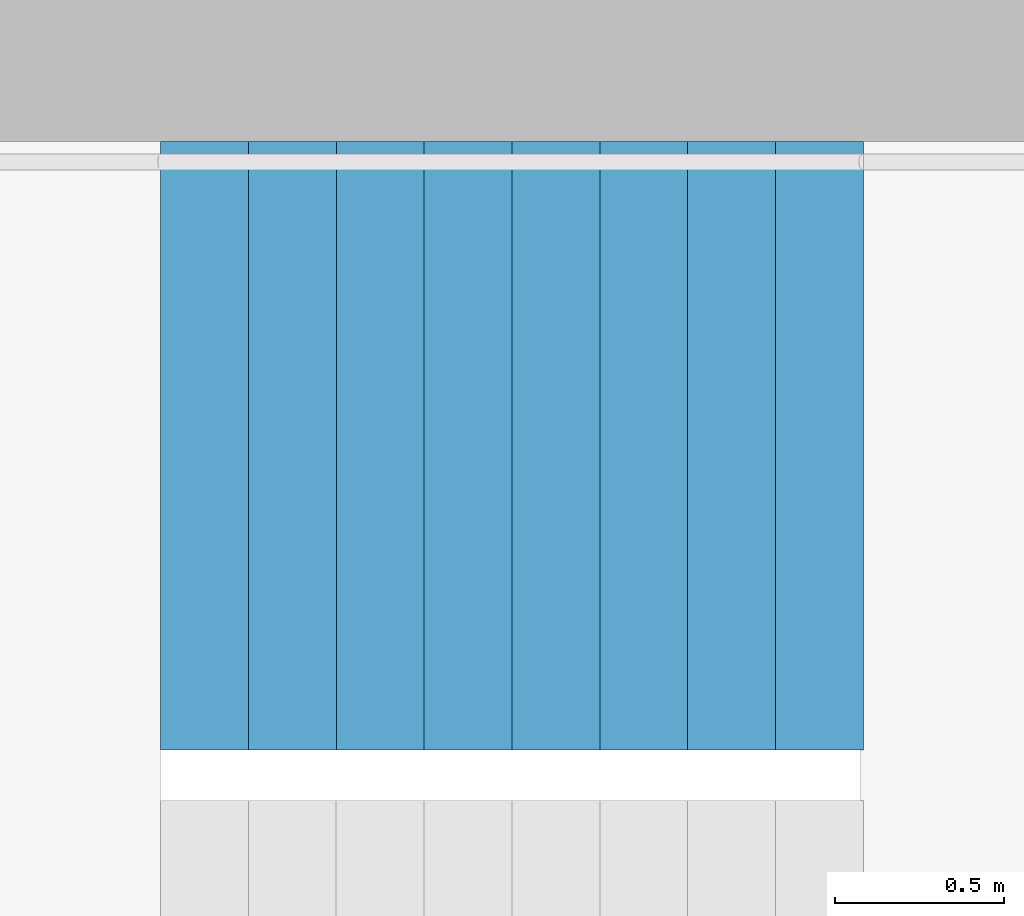
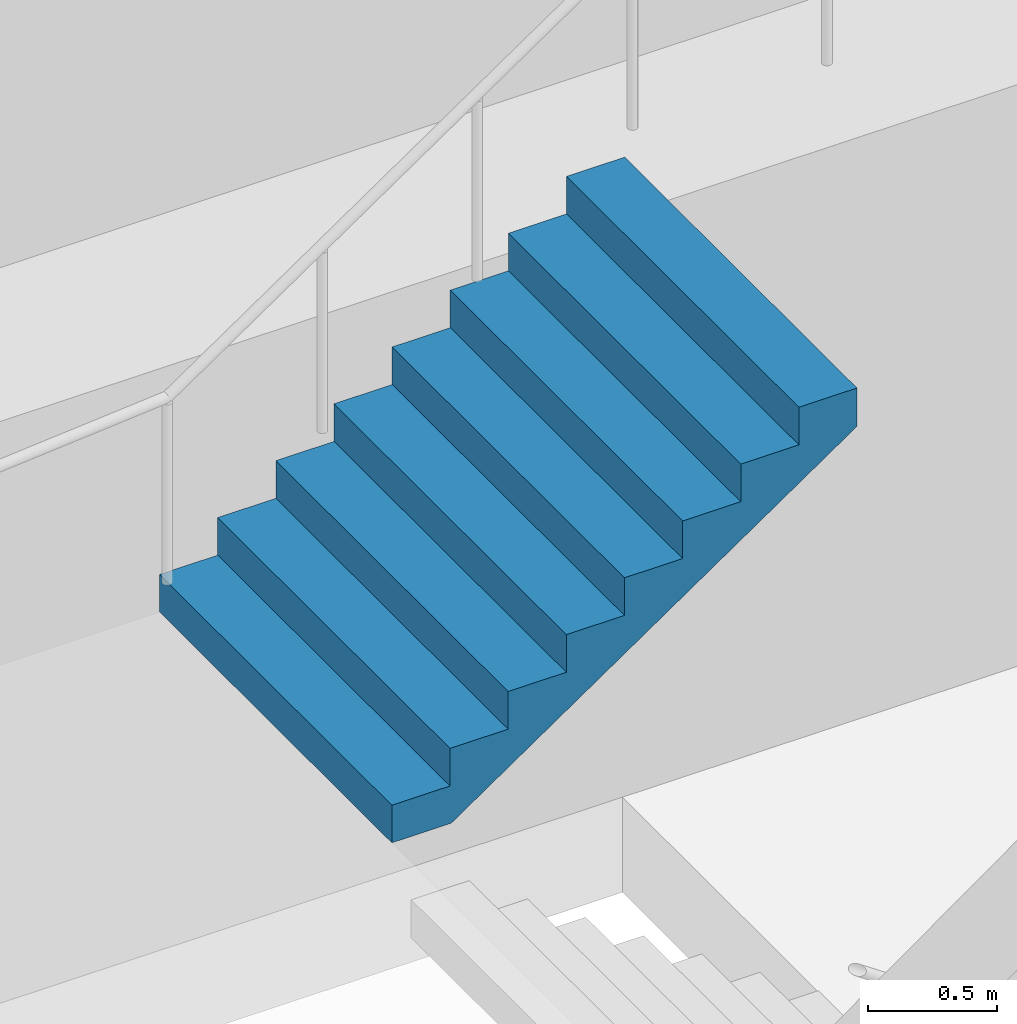
# One storey, part 25 of 26: 1 stair flight, 1 element without a shape of its own.
"""IFC4 building model written with IfcOpenShell, lengths in metres."""

from ifc_helpers import new_model, si_unit, direction, frame, origin, place, context, subcontext, project, spatial, triangles, material, type_object, element, aggregate, save


model = new_model("IFC4")

# Units and contexts
model_context = context("Model", 3, precision=1e-05, world=origin(), true_north=direction((0.0, 1.0)))
body_context = subcontext(model_context, "Body", "Model", "MODEL_VIEW")
ifc_project = project(units=[si_unit("LENGTHUNIT", "METRE"), si_unit("AREAUNIT", "SQUARE_METRE"), si_unit("VOLUMEUNIT", "CUBIC_METRE"), si_unit("PLANEANGLEUNIT", "RADIAN"), si_unit("MASSUNIT", "GRAM", prefix="KILO")], contexts=[model_context])

# Site, building, storey
site_placement = place(None, origin())
site = spatial("IfcSite", under=ifc_project, at=site_placement, CompositionType="ELEMENT")
building_placement = place(site_placement, origin())
building = spatial("IfcBuilding", under=site, at=building_placement, Name="Hakoniwa Tower and Hamabe Station Hall", CompositionType="ELEMENT")
storey_placement = place(building_placement, frame((0.0, 0.0, 169.39990234375)))
storey = spatial("IfcBuildingStorey", under=building, at=storey_placement, Name="L48", CompositionType="ELEMENT", Elevation=169.39990234375)

# Stair, stair flight
ifc_material_1 = material(Name="Concrete C40", Category="concrete")
stair_type = type_object("IfcStairType", Name="ESCAPE STAIR 1800", PredefinedType="HALF_TURN_STAIR", material=ifc_material_1)
stair_placement = place(storey_placement, origin())
stair = element("IfcStair", 1, at=stair_placement, inside=storey, type_object=stair_type, Name="Escape stair ST-3 L48", PredefinedType="HALF_TURN_STAIR")
ifc_material_2 = material(Name="Concrete C40", Category="concrete")
stair_flight_type = type_object("IfcStairFlightType", Name="STAIR FLIGHT 1800", PredefinedType="STRAIGHT", material=ifc_material_2)
stair_flight_placement = place(storey_placement, frame((22.320068359375, 6.60009765625, 1.60009765625), z_axis=(0.0, 0.0, 1.0), x_axis=(1.0, 0.0, 0.0)))
stair_flight = element("IfcStairFlight", 2, at=stair_flight_placement, type_object=stair_flight_type, Name="ST-3 flight 2", NumberOfRisers=9, NumberOfTreads=8, PredefinedType="STRAIGHT", RiserHeight=0.177777778, TreadLength=0.26, context=body_context, shape_type="Tessellation", body=[
    triangles([(0.0, 0.89990234375, 0.0), (0.260009765625, 0.89990234375, 0.0), (0.265625, 0.89990234375, 0.0), (0.52001953125, 0.89990234375, 0.174072265625), (0.780029296875, 0.89990234375, 0.351806640625), (1.0400390625, 0.89990234375, 0.529541015625), (1.300048828125, 0.89990234375, 0.707275390625), (1.56005859375, 0.89990234375, 0.885009765625), (1.820068359375, 0.89990234375, 1.062744140625), (2.080078125, 0.89990234375, 1.24072265625), (2.080078125, 0.89990234375, 1.422119140625), (1.820068359375, 0.89990234375, 1.422119140625), (1.820068359375, 0.89990234375, 1.244384765625), (1.56005859375, 0.89990234375, 1.244384765625), (1.56005859375, 0.89990234375, 1.066650390625), (1.300048828125, 0.89990234375, 1.066650390625), (1.300048828125, 0.89990234375, 0.888916015625), (1.0400390625, 0.89990234375, 0.888916015625), (1.0400390625, 0.89990234375, 0.711181640625), (0.780029296875, 0.89990234375, 0.711181640625), (0.780029296875, 0.89990234375, 0.533447265625), (0.52001953125, 0.89990234375, 0.533447265625), (0.52001953125, 0.89990234375, 0.35546875), (0.265625, 0.89990234375, 0.35546875), (0.260009765625, 0.89990234375, 0.35546875), (0.260009765625, 0.89990234375, 0.177734375), (0.0, 0.89990234375, 0.177734375), (0.0, 0.06005859375, 0.0), (0.260009765625, 0.06005859375, 0.0), (0.265625, 0.06005859375, 0.0), (0.52001953125, 0.06005859375, 0.174072265625), (0.780029296875, 0.06005859375, 0.351806640625), (1.0400390625, 0.06005859375, 0.529541015625), (1.300048828125, 0.06005859375, 0.707275390625), (1.56005859375, 0.06005859375, 0.885009765625), (1.820068359375, 0.06005859375, 1.062744140625), (2.080078125, 0.06005859375, 1.24072265625), (2.080078125, 0.06005859375, 1.422119140625), (1.820068359375, 0.06005859375, 1.422119140625), (1.820068359375, 0.06005859375, 1.244384765625), (1.56005859375, 0.06005859375, 1.244384765625), (1.56005859375, 0.06005859375, 1.066650390625), (1.300048828125, 0.06005859375, 1.066650390625), (1.300048828125, 0.06005859375, 0.888916015625), (1.0400390625, 0.06005859375, 0.888916015625), (1.0400390625, 0.06005859375, 0.711181640625), (0.780029296875, 0.06005859375, 0.711181640625), (0.780029296875, 0.06005859375, 0.533447265625), (0.52001953125, 0.06005859375, 0.533447265625), (0.52001953125, 0.06005859375, 0.35546875), (0.265625, 0.06005859375, 0.35546875), (0.260009765625, 0.06005859375, 0.35546875), (0.260009765625, 0.06005859375, 0.177734375), (0.0, 0.06005859375, 0.177734375), (0.0, 0.04296875, 0.0), (0.260009765625, 0.04296875, 0.0), (0.265625, 0.04296875, 0.0), (0.52001953125, 0.04296875, 0.174072265625), (0.780029296875, 0.04296875, 0.351806640625), (1.0400390625, 0.04296875, 0.529541015625), (1.300048828125, 0.04296875, 0.707275390625), (1.56005859375, 0.04296875, 0.885009765625), (1.820068359375, 0.04296875, 1.062744140625), (2.080078125, 0.04296875, 1.24072265625), (2.080078125, 0.04296875, 1.422119140625), (1.820068359375, 0.04296875, 1.422119140625), (1.820068359375, 0.04296875, 1.244384765625), (1.56005859375, 0.04296875, 1.244384765625), (1.56005859375, 0.04296875, 1.066650390625), (1.300048828125, 0.04296875, 1.066650390625), (1.300048828125, 0.04296875, 0.888916015625), (1.0400390625, 0.04296875, 0.888916015625), (1.0400390625, 0.04296875, 0.711181640625), (0.780029296875, 0.04296875, 0.711181640625), (0.780029296875, 0.04296875, 0.533447265625), (0.52001953125, 0.04296875, 0.533447265625), (0.52001953125, 0.04296875, 0.35546875), (0.265625, 0.04296875, 0.35546875), (0.260009765625, 0.04296875, 0.35546875), (0.260009765625, 0.04296875, 0.177734375), (0.0, 0.04296875, 0.177734375), (0.0, 0.025634765625, 0.0), (0.260009765625, 0.025634765625, 0.0), (0.265625, 0.025634765625, 0.0), (0.52001953125, 0.025634765625, 0.174072265625), (0.780029296875, 0.025634765625, 0.351806640625), (1.0400390625, 0.025634765625, 0.529541015625), (1.300048828125, 0.025634765625, 0.707275390625), (1.56005859375, 0.025634765625, 0.885009765625), (1.820068359375, 0.025634765625, 1.062744140625), (2.080078125, 0.025634765625, 1.24072265625), (2.080078125, 0.025634765625, 1.422119140625), (1.820068359375, 0.025634765625, 1.422119140625), (1.820068359375, 0.025634765625, 1.244384765625), (1.56005859375, 0.025634765625, 1.244384765625), (1.56005859375, 0.025634765625, 1.066650390625), (1.300048828125, 0.025634765625, 1.066650390625), (1.300048828125, 0.025634765625, 0.888916015625), (1.0400390625, 0.025634765625, 0.888916015625), (1.0400390625, 0.025634765625, 0.711181640625), (0.780029296875, 0.025634765625, 0.711181640625), (0.780029296875, 0.025634765625, 0.533447265625), (0.52001953125, 0.025634765625, 0.533447265625), (0.52001953125, 0.025634765625, 0.35546875), (0.265625, 0.025634765625, 0.35546875), (0.260009765625, 0.025634765625, 0.35546875), (0.260009765625, 0.025634765625, 0.177734375), (0.0, 0.025634765625, 0.177734375), (0.0, 0.008544921875, 0.0), (0.260009765625, 0.008544921875, 0.0), (0.265625, 0.008544921875, 0.0), (0.52001953125, 0.008544921875, 0.174072265625), (0.780029296875, 0.008544921875, 0.351806640625), (1.0400390625, 0.008544921875, 0.529541015625), (1.300048828125, 0.008544921875, 0.707275390625), (1.56005859375, 0.008544921875, 0.885009765625), (1.820068359375, 0.008544921875, 1.062744140625), (2.080078125, 0.008544921875, 1.24072265625), (2.080078125, 0.008544921875, 1.422119140625), (1.820068359375, 0.008544921875, 1.422119140625), (1.820068359375, 0.008544921875, 1.244384765625), (1.56005859375, 0.008544921875, 1.244384765625), (1.56005859375, 0.008544921875, 1.066650390625), (1.300048828125, 0.008544921875, 1.066650390625), (1.300048828125, 0.008544921875, 0.888916015625), (1.0400390625, 0.008544921875, 0.888916015625), (1.0400390625, 0.008544921875, 0.711181640625), (0.780029296875, 0.008544921875, 0.711181640625), (0.780029296875, 0.008544921875, 0.533447265625), (0.52001953125, 0.008544921875, 0.533447265625), (0.52001953125, 0.008544921875, 0.35546875), (0.265625, 0.008544921875, 0.35546875), (0.260009765625, 0.008544921875, 0.35546875), (0.260009765625, 0.008544921875, 0.177734375), (0.0, 0.008544921875, 0.177734375), (0.0, -0.008544921875, 0.0), (0.260009765625, -0.008544921875, 0.0), (0.265625, -0.008544921875, 0.0), (0.52001953125, -0.008544921875, 0.174072265625), (0.780029296875, -0.008544921875, 0.351806640625), (1.0400390625, -0.008544921875, 0.529541015625), (1.300048828125, -0.008544921875, 0.707275390625), (1.56005859375, -0.008544921875, 0.885009765625), (1.820068359375, -0.008544921875, 1.062744140625), (2.080078125, -0.008544921875, 1.24072265625), (2.080078125, -0.008544921875, 1.422119140625), (1.820068359375, -0.008544921875, 1.422119140625), (1.820068359375, -0.008544921875, 1.244384765625), (1.56005859375, -0.008544921875, 1.244384765625), (1.56005859375, -0.008544921875, 1.066650390625), (1.300048828125, -0.008544921875, 1.066650390625), (1.300048828125, -0.008544921875, 0.888916015625), (1.0400390625, -0.008544921875, 0.888916015625), (1.0400390625, -0.008544921875, 0.711181640625), (0.780029296875, -0.008544921875, 0.711181640625), (0.780029296875, -0.008544921875, 0.533447265625), (0.52001953125, -0.008544921875, 0.533447265625), (0.52001953125, -0.008544921875, 0.35546875), (0.265625, -0.008544921875, 0.35546875), (0.260009765625, -0.008544921875, 0.35546875), (0.260009765625, -0.008544921875, 0.177734375), (0.0, -0.008544921875, 0.177734375), (0.0, -0.025634765625, 0.0), (0.260009765625, -0.025634765625, 0.0), (0.265625, -0.025634765625, 0.0), (0.52001953125, -0.025634765625, 0.174072265625), (0.780029296875, -0.025634765625, 0.351806640625), (1.0400390625, -0.025634765625, 0.529541015625), (1.300048828125, -0.025634765625, 0.707275390625), (1.56005859375, -0.025634765625, 0.885009765625), (1.820068359375, -0.025634765625, 1.062744140625), (2.080078125, -0.025634765625, 1.24072265625), (2.080078125, -0.025634765625, 1.422119140625), (1.820068359375, -0.025634765625, 1.422119140625), (1.820068359375, -0.025634765625, 1.244384765625), (1.56005859375, -0.025634765625, 1.244384765625), (1.56005859375, -0.025634765625, 1.066650390625), (1.300048828125, -0.025634765625, 1.066650390625), (1.300048828125, -0.025634765625, 0.888916015625), (1.0400390625, -0.025634765625, 0.888916015625), (1.0400390625, -0.025634765625, 0.711181640625), (0.780029296875, -0.025634765625, 0.711181640625), (0.780029296875, -0.025634765625, 0.533447265625), (0.52001953125, -0.025634765625, 0.533447265625), (0.52001953125, -0.025634765625, 0.35546875), (0.265625, -0.025634765625, 0.35546875), (0.260009765625, -0.025634765625, 0.35546875), (0.260009765625, -0.025634765625, 0.177734375), (0.0, -0.025634765625, 0.177734375), (0.0, -0.04296875, 0.0), (0.260009765625, -0.04296875, 0.0), (0.265625, -0.04296875, 0.0), (0.52001953125, -0.04296875, 0.174072265625), (0.780029296875, -0.04296875, 0.351806640625), (1.0400390625, -0.04296875, 0.529541015625), (1.300048828125, -0.04296875, 0.707275390625), (1.56005859375, -0.04296875, 0.885009765625), (1.820068359375, -0.04296875, 1.062744140625), (2.080078125, -0.04296875, 1.24072265625), (2.080078125, -0.04296875, 1.422119140625), (1.820068359375, -0.04296875, 1.422119140625), (1.820068359375, -0.04296875, 1.244384765625), (1.56005859375, -0.04296875, 1.244384765625), (1.56005859375, -0.04296875, 1.066650390625), (1.300048828125, -0.04296875, 1.066650390625), (1.300048828125, -0.04296875, 0.888916015625), (1.0400390625, -0.04296875, 0.888916015625), (1.0400390625, -0.04296875, 0.711181640625), (0.780029296875, -0.04296875, 0.711181640625), (0.780029296875, -0.04296875, 0.533447265625), (0.52001953125, -0.04296875, 0.533447265625), (0.52001953125, -0.04296875, 0.35546875), (0.265625, -0.04296875, 0.35546875), (0.260009765625, -0.04296875, 0.35546875), (0.260009765625, -0.04296875, 0.177734375), (0.0, -0.04296875, 0.177734375), (0.0, -0.06005859375, 0.0), (0.260009765625, -0.06005859375, 0.0), (0.265625, -0.06005859375, 0.0), (0.52001953125, -0.06005859375, 0.174072265625), (0.780029296875, -0.06005859375, 0.351806640625), (1.0400390625, -0.06005859375, 0.529541015625), (1.300048828125, -0.06005859375, 0.707275390625), (1.56005859375, -0.06005859375, 0.885009765625), (1.820068359375, -0.06005859375, 1.062744140625), (2.080078125, -0.06005859375, 1.24072265625), (2.080078125, -0.06005859375, 1.422119140625), (1.820068359375, -0.06005859375, 1.422119140625), (1.820068359375, -0.06005859375, 1.244384765625), (1.56005859375, -0.06005859375, 1.244384765625), (1.56005859375, -0.06005859375, 1.066650390625), (1.300048828125, -0.06005859375, 1.066650390625), (1.300048828125, -0.06005859375, 0.888916015625), (1.0400390625, -0.06005859375, 0.888916015625), (1.0400390625, -0.06005859375, 0.711181640625), (0.780029296875, -0.06005859375, 0.711181640625), (0.780029296875, -0.06005859375, 0.533447265625), (0.52001953125, -0.06005859375, 0.533447265625), (0.52001953125, -0.06005859375, 0.35546875), (0.265625, -0.06005859375, 0.35546875), (0.260009765625, -0.06005859375, 0.35546875), (0.260009765625, -0.06005859375, 0.177734375), (0.0, -0.06005859375, 0.177734375), (0.0, -0.89990234375, 0.0), (0.260009765625, -0.89990234375, 0.0), (0.265625, -0.89990234375, 0.0), (0.52001953125, -0.89990234375, 0.174072265625), (0.780029296875, -0.89990234375, 0.351806640625), (1.0400390625, -0.89990234375, 0.529541015625), (1.300048828125, -0.89990234375, 0.707275390625), (1.56005859375, -0.89990234375, 0.885009765625), (1.820068359375, -0.89990234375, 1.062744140625), (2.080078125, -0.89990234375, 1.24072265625), (2.080078125, -0.89990234375, 1.422119140625), (1.820068359375, -0.89990234375, 1.422119140625), (1.820068359375, -0.89990234375, 1.244384765625), (1.56005859375, -0.89990234375, 1.244384765625), (1.56005859375, -0.89990234375, 1.066650390625), (1.300048828125, -0.89990234375, 1.066650390625), (1.300048828125, -0.89990234375, 0.888916015625), (1.0400390625, -0.89990234375, 0.888916015625), (1.0400390625, -0.89990234375, 0.711181640625), (0.780029296875, -0.89990234375, 0.711181640625), (0.780029296875, -0.89990234375, 0.533447265625), (0.52001953125, -0.89990234375, 0.533447265625), (0.52001953125, -0.89990234375, 0.35546875), (0.265625, -0.89990234375, 0.35546875), (0.260009765625, -0.89990234375, 0.35546875), (0.260009765625, -0.89990234375, 0.177734375), (0.0, -0.89990234375, 0.177734375)], [[2, 27, 26], [245, 269, 270], [2, 1, 27], [245, 270, 244], [3, 25, 24], [246, 267, 268], [3, 26, 25], [246, 268, 269], [3, 2, 26], [246, 269, 245], [4, 24, 23], [247, 266, 267], [4, 3, 24], [247, 267, 246], [5, 22, 21], [248, 264, 265], [5, 23, 22], [248, 265, 266], [5, 4, 23], [248, 266, 247], [6, 20, 19], [249, 262, 263], [6, 21, 20], [249, 263, 264], [6, 5, 21], [249, 264, 248], [7, 18, 17], [250, 260, 261], [7, 19, 18], [250, 261, 262], [7, 6, 19], [250, 262, 249], [8, 16, 15], [251, 258, 259], [8, 17, 16], [251, 259, 260], [8, 7, 17], [251, 260, 250], [9, 14, 13], [252, 256, 257], [9, 15, 14], [252, 257, 258], [9, 8, 15], [252, 258, 251], [10, 12, 11], [253, 254, 255], [10, 13, 12], [253, 255, 256], [10, 9, 13], [253, 256, 252], [1, 2, 29], [1, 29, 28], [28, 29, 56], [28, 56, 55], [55, 56, 83], [55, 83, 82], [82, 83, 110], [82, 110, 109], [109, 110, 137], [109, 137, 136], [136, 137, 164], [136, 164, 163], [163, 164, 191], [163, 191, 190], [190, 191, 218], [190, 218, 217], [217, 218, 245], [217, 245, 244], [2, 3, 30], [2, 30, 29], [29, 30, 57], [29, 57, 56], [56, 57, 84], [56, 84, 83], [83, 84, 111], [83, 111, 110], [110, 111, 138], [110, 138, 137], [137, 138, 165], [137, 165, 164], [164, 165, 192], [164, 192, 191], [191, 192, 219], [191, 219, 218], [218, 219, 246], [218, 246, 245], [3, 4, 31], [3, 31, 30], [30, 31, 58], [30, 58, 57], [57, 58, 85], [57, 85, 84], [84, 85, 112], [84, 112, 111], [111, 112, 139], [111, 139, 138], [138, 139, 166], [138, 166, 165], [165, 166, 193], [165, 193, 192], [192, 193, 220], [192, 220, 219], [219, 220, 247], [219, 247, 246], [4, 5, 32], [4, 32, 31], [31, 32, 59], [31, 59, 58], [58, 59, 86], [58, 86, 85], [85, 86, 113], [85, 113, 112], [112, 113, 140], [112, 140, 139], [139, 140, 167], [139, 167, 166], [166, 167, 194], [166, 194, 193], [193, 194, 221], [193, 221, 220], [220, 221, 248], [220, 248, 247], [5, 6, 33], [5, 33, 32], [32, 33, 60], [32, 60, 59], [59, 60, 87], [59, 87, 86], [86, 87, 114], [86, 114, 113], [113, 114, 141], [113, 141, 140], [140, 141, 168], [140, 168, 167], [167, 168, 195], [167, 195, 194], [194, 195, 222], [194, 222, 221], [221, 222, 249], [221, 249, 248], [6, 7, 34], [6, 34, 33], [33, 34, 61], [33, 61, 60], [60, 61, 88], [60, 88, 87], [87, 88, 115], [87, 115, 114], [114, 115, 142], [114, 142, 141], [141, 142, 169], [141, 169, 168], [168, 169, 196], [168, 196, 195], [195, 196, 223], [195, 223, 222], [222, 223, 250], [222, 250, 249], [7, 8, 35], [7, 35, 34], [34, 35, 62], [34, 62, 61], [61, 62, 89], [61, 89, 88], [88, 89, 116], [88, 116, 115], [115, 116, 143], [115, 143, 142], [142, 143, 170], [142, 170, 169], [169, 170, 197], [169, 197, 196], [196, 197, 224], [196, 224, 223], [223, 224, 251], [223, 251, 250], [8, 9, 36], [8, 36, 35], [35, 36, 63], [35, 63, 62], [62, 63, 90], [62, 90, 89], [89, 90, 117], [89, 117, 116], [116, 117, 144], [116, 144, 143], [143, 144, 171], [143, 171, 170], [170, 171, 198], [170, 198, 197], [197, 198, 225], [197, 225, 224], [224, 225, 252], [224, 252, 251], [9, 10, 37], [9, 37, 36], [36, 37, 64], [36, 64, 63], [63, 64, 91], [63, 91, 90], [90, 91, 118], [90, 118, 117], [117, 118, 145], [117, 145, 144], [144, 145, 172], [144, 172, 171], [171, 172, 199], [171, 199, 198], [198, 199, 226], [198, 226, 225], [225, 226, 253], [225, 253, 252], [10, 11, 38], [10, 38, 37], [37, 38, 65], [37, 65, 64], [64, 65, 92], [64, 92, 91], [91, 92, 119], [91, 119, 118], [118, 119, 146], [118, 146, 145], [145, 146, 173], [145, 173, 172], [172, 173, 200], [172, 200, 199], [199, 200, 227], [199, 227, 226], [226, 227, 254], [226, 254, 253], [11, 12, 39], [11, 39, 38], [38, 39, 66], [38, 66, 65], [65, 66, 93], [65, 93, 92], [92, 93, 120], [92, 120, 119], [119, 120, 147], [119, 147, 146], [146, 147, 174], [146, 174, 173], [173, 174, 201], [173, 201, 200], [200, 201, 228], [200, 228, 227], [227, 228, 255], [227, 255, 254], [12, 13, 40], [12, 40, 39], [39, 40, 67], [39, 67, 66], [66, 67, 94], [66, 94, 93], [93, 94, 121], [93, 121, 120], [120, 121, 148], [120, 148, 147], [147, 148, 175], [147, 175, 174], [174, 175, 202], [174, 202, 201], [201, 202, 229], [201, 229, 228], [228, 229, 256], [228, 256, 255], [13, 14, 41], [13, 41, 40], [40, 41, 68], [40, 68, 67], [67, 68, 95], [67, 95, 94], [94, 95, 122], [94, 122, 121], [121, 122, 149], [121, 149, 148], [148, 149, 176], [148, 176, 175], [175, 176, 203], [175, 203, 202], [202, 203, 230], [202, 230, 229], [229, 230, 257], [229, 257, 256], [14, 15, 42], [14, 42, 41], [41, 42, 69], [41, 69, 68], [68, 69, 96], [68, 96, 95], [95, 96, 123], [95, 123, 122], [122, 123, 150], [122, 150, 149], [149, 150, 177], [149, 177, 176], [176, 177, 204], [176, 204, 203], [203, 204, 231], [203, 231, 230], [230, 231, 258], [230, 258, 257], [15, 16, 43], [15, 43, 42], [42, 43, 70], [42, 70, 69], [69, 70, 97], [69, 97, 96], [96, 97, 124], [96, 124, 123], [123, 124, 151], [123, 151, 150], [150, 151, 178], [150, 178, 177], [177, 178, 205], [177, 205, 204], [204, 205, 232], [204, 232, 231], [231, 232, 259], [231, 259, 258], [16, 17, 44], [16, 44, 43], [43, 44, 71], [43, 71, 70], [70, 71, 98], [70, 98, 97], [97, 98, 125], [97, 125, 124], [124, 125, 152], [124, 152, 151], [151, 152, 179], [151, 179, 178], [178, 179, 206], [178, 206, 205], [205, 206, 233], [205, 233, 232], [232, 233, 260], [232, 260, 259], [17, 18, 45], [17, 45, 44], [44, 45, 72], [44, 72, 71], [71, 72, 99], [71, 99, 98], [98, 99, 126], [98, 126, 125], [125, 126, 153], [125, 153, 152], [152, 153, 180], [152, 180, 179], [179, 180, 207], [179, 207, 206], [206, 207, 234], [206, 234, 233], [233, 234, 261], [233, 261, 260], [18, 19, 46], [18, 46, 45], [45, 46, 73], [45, 73, 72], [72, 73, 100], [72, 100, 99], [99, 100, 127], [99, 127, 126], [126, 127, 154], [126, 154, 153], [153, 154, 181], [153, 181, 180], [180, 181, 208], [180, 208, 207], [207, 208, 235], [207, 235, 234], [234, 235, 262], [234, 262, 261], [19, 20, 47], [19, 47, 46], [46, 47, 74], [46, 74, 73], [73, 74, 101], [73, 101, 100], [100, 101, 128], [100, 128, 127], [127, 128, 155], [127, 155, 154], [154, 155, 182], [154, 182, 181], [181, 182, 209], [181, 209, 208], [208, 209, 236], [208, 236, 235], [235, 236, 263], [235, 263, 262], [20, 21, 48], [20, 48, 47], [47, 48, 75], [47, 75, 74], [74, 75, 102], [74, 102, 101], [101, 102, 129], [101, 129, 128], [128, 129, 156], [128, 156, 155], [155, 156, 183], [155, 183, 182], [182, 183, 210], [182, 210, 209], [209, 210, 237], [209, 237, 236], [236, 237, 264], [236, 264, 263], [21, 22, 49], [21, 49, 48], [48, 49, 76], [48, 76, 75], [75, 76, 103], [75, 103, 102], [102, 103, 130], [102, 130, 129], [129, 130, 157], [129, 157, 156], [156, 157, 184], [156, 184, 183], [183, 184, 211], [183, 211, 210], [210, 211, 238], [210, 238, 237], [237, 238, 265], [237, 265, 264], [22, 23, 50], [22, 50, 49], [49, 50, 77], [49, 77, 76], [76, 77, 104], [76, 104, 103], [103, 104, 131], [103, 131, 130], [130, 131, 158], [130, 158, 157], [157, 158, 185], [157, 185, 184], [184, 185, 212], [184, 212, 211], [211, 212, 239], [211, 239, 238], [238, 239, 266], [238, 266, 265], [23, 24, 51], [23, 51, 50], [50, 51, 78], [50, 78, 77], [77, 78, 105], [77, 105, 104], [104, 105, 132], [104, 132, 131], [131, 132, 159], [131, 159, 158], [158, 159, 186], [158, 186, 185], [185, 186, 213], [185, 213, 212], [212, 213, 240], [212, 240, 239], [239, 240, 267], [239, 267, 266], [24, 25, 52], [24, 52, 51], [51, 52, 79], [51, 79, 78], [78, 79, 106], [78, 106, 105], [105, 106, 133], [105, 133, 132], [132, 133, 160], [132, 160, 159], [159, 160, 187], [159, 187, 186], [186, 187, 214], [186, 214, 213], [213, 214, 241], [213, 241, 240], [240, 241, 268], [240, 268, 267], [25, 26, 53], [25, 53, 52], [52, 53, 80], [52, 80, 79], [79, 80, 107], [79, 107, 106], [106, 107, 134], [106, 134, 133], [133, 134, 161], [133, 161, 160], [160, 161, 188], [160, 188, 187], [187, 188, 215], [187, 215, 214], [214, 215, 242], [214, 242, 241], [241, 242, 269], [241, 269, 268], [26, 27, 54], [26, 54, 53], [53, 54, 81], [53, 81, 80], [80, 81, 108], [80, 108, 107], [107, 108, 135], [107, 135, 134], [134, 135, 162], [134, 162, 161], [161, 162, 189], [161, 189, 188], [188, 189, 216], [188, 216, 215], [215, 216, 243], [215, 243, 242], [242, 243, 270], [242, 270, 269], [27, 1, 28], [27, 28, 54], [54, 28, 55], [54, 55, 81], [81, 55, 82], [81, 82, 108], [108, 82, 109], [108, 109, 135], [135, 109, 136], [135, 136, 162], [162, 136, 163], [162, 163, 189], [189, 163, 190], [189, 190, 216], [216, 190, 217], [216, 217, 243], [243, 217, 244], [243, 244, 270]], closed=True),
])
aggregate(stair, [stair_flight])

save(model, "model.ifc")
